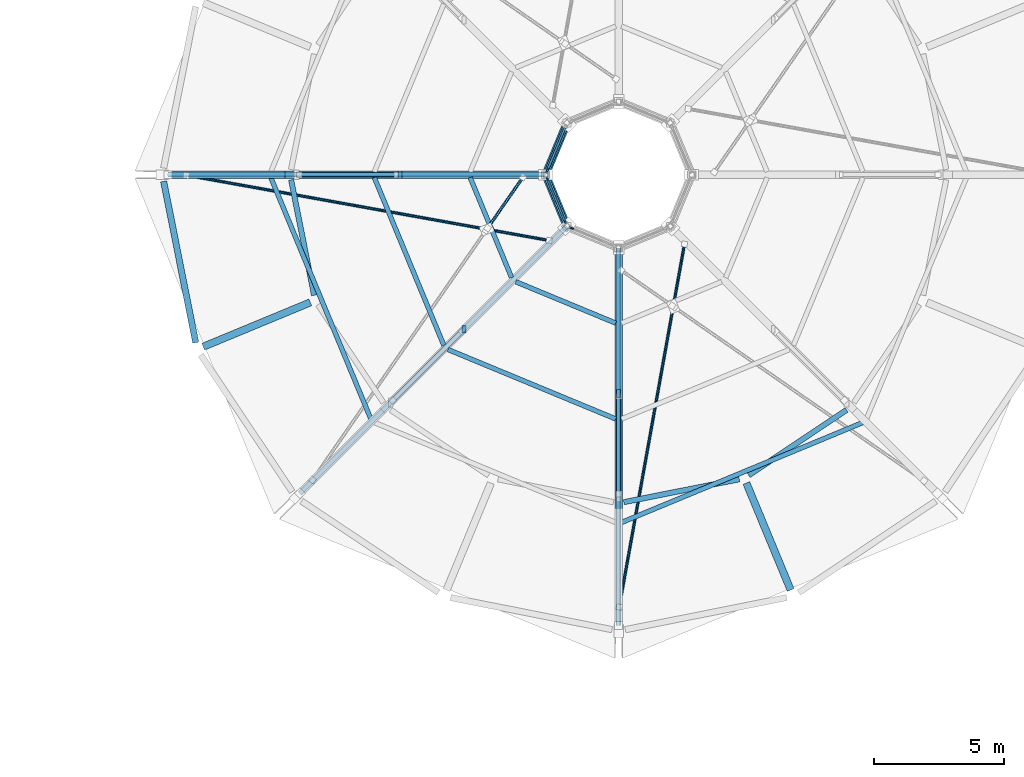
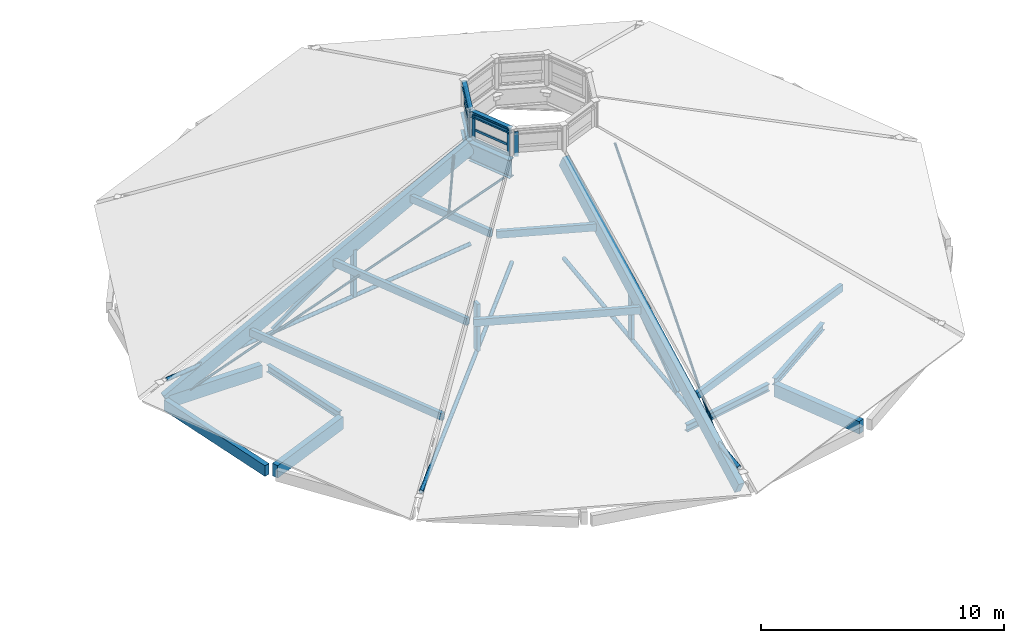
# One storey, part 35 of 66: 29 members, 11 beams, 3 elements without a shape of their own.
"""IFC4 building model written with IfcOpenShell, lengths in metres."""

from ifc_helpers import new_model, si_unit, direction, frame, origin, origin_2d, place, context, subcontext, project, spatial, rectangle, hollow_rectangle, hollow_circle, i_section, extrude, material, layer, layer_set, material_profile, profile_set, type_object, element, aggregate, save


model = new_model("IFC4")

# Units and contexts
model_context = context("Model", 3, precision=1e-05, world=origin(), true_north=direction((0.0, 1.0)))
body_context = subcontext(model_context, "Body", "Model", "MODEL_VIEW")
ifc_project = project(units=[si_unit("LENGTHUNIT", "METRE"), si_unit("AREAUNIT", "SQUARE_METRE"), si_unit("VOLUMEUNIT", "CUBIC_METRE"), si_unit("PLANEANGLEUNIT", "RADIAN"), si_unit("MASSUNIT", "GRAM", prefix="KILO")], contexts=[model_context])

# Site, building, storey
site_placement = place(None, origin())
site = spatial("IfcSite", under=ifc_project, at=site_placement, CompositionType="ELEMENT")
building_placement = place(site_placement, origin())
building = spatial("IfcBuilding", under=site, at=building_placement, Name="Caldaven Crescent School", CompositionType="ELEMENT")
storey_placement = place(building_placement, frame((0.0, 0.0, 8.159912109375)))
storey = spatial("IfcBuildingStorey", under=building, at=storey_placement, Name="L02", CompositionType="ELEMENT", Elevation=8.159912109375)

# Beams
ifc_material_1 = material(Name="Glulam MLE24h (GL28h)", Category="wood")
ifc_material_profile_1 = material_profile(ifc_material_1, rectangle(XDim=0.280029296875, YDim=0.6298828125, at=origin_2d()), Name="MLE 280x630")
ifc_profile_set_1 = profile_set([ifc_material_profile_1], Name="Glulam MLE24h (GL28h)")
beam_type_1 = type_object("IfcBeamType", Name="BM-GL63", PredefinedType="BEAM", material=ifc_profile_set_1)
for number, where, z_axis, x_axis, name in (
    (1, (139.699951171875, 98.5, -0.534912109375), (-1.0, 0.0, 0.0), (0.0, -1.0, 0.0), "BM-V1-L02-0167"),
    (2, (140.67431640625, 93.6015625, -0.534912109375), (-0.923891512961, -0.382654507719, 0.0), (0.382654507719, -0.923891512961, 0.0), "BM-V1-L02-0170"),
    (3, (157.3984375, 86.67431640625, -0.534912109375), (0.382654507719, -0.923891512961, 0.0), (0.923891512961, 0.382654507719, 0.0), "BM-V1-L02-0182"),
):
    element("IfcBeam", number, at=place(storey_placement, frame(where, z_axis=z_axis, x_axis=x_axis)), inside=storey, type_object=beam_type_1, Name=name, PredefinedType="BEAM", context=body_context, shape_type="SweptSolid", body=[
        extrude(rectangle(XDim=0.280029296875, YDim=0.6298828125, at=origin_2d()), origin(), (0.0, 0.0, 1.0), 4.43994140625),
    ])
ifc_material_2 = material(Name="Steel ASTM A572 Grade 50", Category="steel")
ifc_material_profile_2 = material_profile(ifc_material_2, i_section(OverallWidth=0.202880859375, OverallDepth=0.302978515625, WebThickness=0.007568359375, FlangeThickness=0.01318359375, FilletRadius=0.012939453125, at=origin_2d()), Name="W310x60")
ifc_profile_set_2 = profile_set([ifc_material_profile_2], Name="Steel ASTM A572 Grade 50")
beam_type_2 = type_object("IfcBeamType", Name="BM-W31", PredefinedType="BEAM", material=ifc_profile_set_2)
for number, where, z_axis, x_axis, name in (
    (4, (150.512451171875, 100.46142578125, 8.898681640625), (-0.382652561407, -0.923892319077, 0.0), (0.923892319077, -0.382652561407, 0.0), "LRNG-V1-L02-0198"),
    (5, (149.707763671875, 98.4814453125, 8.898681640625), (0.382652561407, -0.923892319077, 0.0), (0.923892319077, 0.382652561407, 0.0), "LRNG-V1-L02-0200"),
):
    element("IfcBeam", number, at=place(storey_placement, frame(where, z_axis=z_axis, x_axis=x_axis)), inside=storey, type_object=beam_type_2, Name=name, PredefinedType="BEAM", context=body_context, shape_type="SweptSolid", body=[
        extrude(i_section(OverallWidth=0.202880859375, OverallDepth=0.302978515625, WebThickness=0.007568359375, FlangeThickness=0.01318359375, FilletRadius=0.012939453125, at=origin_2d()), origin(), (0.0, 0.0, 1.0), 2.10302734375),
    ])
ifc_material_profile_3 = material_profile(ifc_material_2, i_section(OverallWidth=0.205078125, OverallDepth=0.35400390625, WebThickness=0.009521484375, FlangeThickness=0.016845703125, FilletRadius=0.014892578125, at=origin_2d()), Name="W360x79")
ifc_profile_set_3 = profile_set([ifc_material_profile_3], Name="Steel ASTM A572 Grade 50")
beam_type_3 = type_object("IfcBeamType", Name="BM-W36", PredefinedType="BEAM", material=ifc_profile_set_3)
for number, where, z_axis, x_axis, name in (
    (6, (139.93896484375, 98.303955078125, -0.39697265625), (0.195086890453, -0.980785962977, 0.0), (0.980785962977, 0.195086890453, 0.0), "BM-V1-L02-0168"),
    (7, (152.696044921875, 85.93896484375, -0.39697265625), (0.980785962977, 0.195086890453, 0.0), (-0.195086890453, 0.980785962977, 0.0), "BM-V1-L02-0180"),
):
    element("IfcBeam", number, at=place(storey_placement, frame(where, z_axis=z_axis, x_axis=x_axis)), inside=storey, type_object=beam_type_3, Name=name, PredefinedType="BEAM", context=body_context, shape_type="SweptSolid", body=[
        extrude(i_section(OverallWidth=0.205078125, OverallDepth=0.35400390625, WebThickness=0.009521484375, FlangeThickness=0.016845703125, FilletRadius=0.014892578125, at=origin_2d()), origin(), (0.0, 0.0, 1.0), 4.516357421875),
    ])
beam_1_placement = place(storey_placement, frame((157.488037109375, 86.97021484375, -0.39697265625), z_axis=(0.831475995794, 0.55556067933, 0.0), x_axis=(-0.55556067933, 0.831475995794, 0.0)))
element("IfcBeam", 8, at=beam_1_placement, inside=storey, type_object=beam_type_3, Name="BM-V1-L02-0183", PredefinedType="BEAM", context=body_context, shape_type="SweptSolid", body=[
    extrude(i_section(OverallWidth=0.205078125, OverallDepth=0.35400390625, WebThickness=0.009521484375, FlangeThickness=0.016845703125, FilletRadius=0.014892578125, at=origin_2d()), origin(), (0.0, 0.0, 1.0), 4.51611328125),
])
ifc_material_profile_4 = material_profile(ifc_material_2, i_section(OverallWidth=0.303955078125, OverallDepth=0.910888671875, WebThickness=0.015869140625, FlangeThickness=0.02392578125, FilletRadius=0.02197265625, at=origin_2d()), Name="W920x223")
ifc_profile_set_4 = profile_set([ifc_material_profile_4], Name="Steel ASTM A572 Grade 50")
beam_type_4 = type_object("IfcBeamType", Name="BM-W92", PredefinedType="BEAM", material=ifc_profile_set_4)
for number, where, z_axis, x_axis, name in (
    (9, (150.516357421875, 100.470703125, 7.004638671875), (-0.382703871955, -0.923871065891, 0.0), (0.923871065891, -0.382703871955, 0.0), "RING-V1-L02-0197"),
    (10, (149.703857421875, 98.49072265625, 7.004638671875), (0.382703871955, -0.923871065891, 0.0), (0.923871065891, 0.382703871955, 0.0), "RING-V1-L02-0199"),
):
    element("IfcBeam", number, at=place(storey_placement, frame(where, z_axis=z_axis, x_axis=x_axis)), inside=storey, type_object=beam_type_4, Name=name, PredefinedType="BEAM", context=body_context, shape_type="SweptSolid", body=[
        extrude(i_section(OverallWidth=0.303955078125, OverallDepth=0.910888671875, WebThickness=0.015869140625, FlangeThickness=0.02392578125, FilletRadius=0.02197265625, at=origin_2d()), origin(), (0.0, 0.0, 1.0), 2.123046875),
    ])

# Members
ifc_material_profile_5 = material_profile(ifc_material_2, hollow_circle(Radius=0.05712890625, WallThickness=0.008056640625, at=origin_2d()), Name="CHS 114.3x8.0")
ifc_profile_set_5 = profile_set([ifc_material_profile_5], Name="Steel ASTM A572 Grade 50")
member_type_1 = type_object("IfcMemberType", Name="BR-CH11", PredefinedType="BRACE", material=ifc_profile_set_5)
member_1_placement = place(storey_placement, frame((135.92138671875, 98.478271484375, -0.49365234375), z_axis=(0.866661130006, -0.155865769195, 0.47392441141), x_axis=(0.177006439522, 0.984209693291, 0.0)))
element("IfcMember", 11, at=member_1_placement, inside=storey, type_object=member_type_1, Name="RBR-V1-04-X1", PredefinedType="BRACE", context=body_context, shape_type="SweptSolid", body=[
    extrude(hollow_circle(Radius=0.05712890625, WallThickness=0.008056640625, at=origin_2d()), origin(), (0.0, 0.0, 1.0), 16.052001953125),
])
member_2_placement = place(storey_placement, frame((147.47705078125, 96.452880859375, 5.83837890625), z_axis=(0.50259347178, 0.723045120954, 0.473925685303), x_axis=(-0.821115135053, 0.570762590739, 0.0)))
element("IfcMember", 12, at=member_2_placement, inside=storey, type_object=member_type_1, Name="RBR-V1-04-X2B", PredefinedType="BRACE", context=body_context, shape_type="SweptSolid", body=[
    extrude(hollow_circle(Radius=0.05712890625, WallThickness=0.008056640625, at=origin_2d()), origin(), (0.0, 0.0, 1.0), 2.691162109375),
])
member_3_placement = place(storey_placement, frame((152.521728515625, 81.92138671875, -0.49365234375), z_axis=(0.155865769195, 0.866661130006, 0.47392441141), x_axis=(-0.984209693291, 0.177006439522, 0.0)))
element("IfcMember", 13, at=member_3_placement, inside=storey, type_object=member_type_1, Name="RBR-V1-06-X1", PredefinedType="BRACE", context=body_context, shape_type="SweptSolid", body=[
    extrude(hollow_circle(Radius=0.05712890625, WallThickness=0.008056640625, at=origin_2d()), origin(), (0.0, 0.0, 1.0), 16.052001953125),
])
ifc_material_profile_6 = material_profile(ifc_material_2, hollow_circle(Radius=0.096923828125, WallThickness=0.012451171875, at=origin_2d()), Name="CHS 193.7x12.5")
ifc_profile_set_6 = profile_set([ifc_material_profile_6], Name="Steel ASTM A572 Grade 50")
member_type_2 = type_object("IfcMemberType", Name="BR-CH19", PredefinedType="BRACE", material=ifc_profile_set_6)
for number, where, z_axis, x_axis, name in (
    (14, (135.21826171875, 98.5, 0.52685546875), (0.992587172523, 0.0, 0.121534789019), (0.0, 1.0, 0.0), "TT-V1-04"),
    (15, (140.280029296875, 86.280029296875, 0.52685546875), (0.70186507673, 0.70186507673, 0.121535295839), (-0.707106781187, 0.707106781187, 0.0), "TT-V1-05"),
    (16, (152.5, 81.21826171875, 0.52685546875), (0.0, 0.992587172523, 0.121534789019), (-1.0, 0.0, 0.0), "TT-V1-06"),
):
    element("IfcMember", number, at=place(storey_placement, frame(where, z_axis=z_axis, x_axis=x_axis)), inside=storey, type_object=member_type_2, Name=name, PredefinedType="BRACE", context=body_context, shape_type="SweptSolid", body=[
        extrude(hollow_circle(Radius=0.096923828125, WallThickness=0.012451171875, at=origin_2d()), origin(), (0.0, 0.0, 1.0), 14.56982421875),
    ])
ifc_material_profile_7 = material_profile(ifc_material_1, rectangle(XDim=0.280029296875, YDim=0.68994140625, at=origin_2d()), Name="MLE 280x690")
ifc_profile_set_7 = profile_set([ifc_material_profile_7], Name="Glulam MLE24h (GL28h)")
member_type_3 = type_object("IfcMemberType", Name="CH-GL69", PredefinedType="CHORD", material=ifc_profile_set_7)
for number, where, z_axis, x_axis, name in (
    (17, (135.1767578125, 98.5, -0.466064453125), (0.883351030719, 0.0, 0.468712018757), (0.0, 1.0, 0.0), "TC-V1-04"),
    (18, (152.5, 81.1767578125, -0.466064453125), (0.0, 0.883351030719, 0.468712018757), (-1.0, 0.0, 0.0), "TC-V1-06"),
):
    element("IfcMember", number, at=place(storey_placement, frame(where, z_axis=z_axis, x_axis=x_axis)), inside=storey, type_object=member_type_3, Name=name, PredefinedType="CHORD", context=body_context, shape_type="SweptSolid", body=[
        extrude(rectangle(XDim=0.280029296875, YDim=0.68994140625, at=origin_2d()), origin(), (0.0, 0.0, 1.0), 16.421142578125),
    ])

# Curtain wall, members
ifc_material_3 = material(Name="Anodised aluminium AA 6063-T6 and low-E double glazing", Category="aluminium")
ifc_layer_1 = layer(ifc_material_3, 0.2099609375)
ifc_layer_set_1 = layer_set([ifc_layer_1], Name="Anodised aluminium AA 6063-T6 and low-E double glazing")
curtain_wall_type_1 = type_object("IfcCurtainWallType", Name="CW-SYS3", PredefinedType="NOTDEFINED", material=ifc_layer_set_1)
curtain_wall_1_placement = place(storey_placement, origin())
curtain_wall_1 = element("IfcCurtainWall", 19, at=curtain_wall_1_placement, inside=storey, type_object=curtain_wall_type_1, Name="CW-L02-037", PredefinedType="NOTDEFINED")
ifc_material_4 = material(Name="Anodised aluminium AA 6063-T6", Category="aluminium")
ifc_material_profile_8 = material_profile(ifc_material_4, rectangle(XDim=0.06005859375, YDim=0.14990234375, at=origin_2d()), Name="CWM 60x150")
ifc_profile_set_8 = profile_set([ifc_material_profile_8], Name="Anodised aluminium AA 6063-T6")
member_type_4 = type_object("IfcMemberType", Name="CWM-T1", PredefinedType="MULLION", material=ifc_profile_set_8)
member_4_placement = place(storey_placement, frame((149.76513671875, 98.343017578125, 7.60009765625), z_axis=(0.0, 0.0, 1.0), x_axis=(0.923880038792, 0.382682210093, 0.0)))
member_4 = element("IfcMember", 20, at=member_4_placement, type_object=member_type_4, Name="CW3 mullion 1", PredefinedType="MULLION", context=body_context, shape_type="SweptSolid", body=[
    extrude(rectangle(XDim=0.06005859375, YDim=0.14990234375, at=origin_2d()), origin(), (0.0, 0.0, 1.0), 1.25),
])
member_5_placement = place(storey_placement, frame((150.455078125, 96.67724609375, 7.60009765625), z_axis=(0.0, 0.0, 1.0), x_axis=(0.923880038792, 0.382682210093, 0.0)))
member_5 = element("IfcMember", 21, at=member_5_placement, type_object=member_type_4, Name="CW3 mullion 2", PredefinedType="MULLION", context=body_context, shape_type="SweptSolid", body=[
    extrude(rectangle(XDim=0.06005859375, YDim=0.14990234375, at=origin_2d()), origin(), (0.0, 0.0, 1.0), 1.25),
])

# Curtain wall, member
ifc_layer_2 = layer(ifc_material_3, 0.22998046875)
ifc_layer_set_2 = layer_set([ifc_layer_2], Name="Anodised aluminium AA 6063-T6 and low-E double glazing")
curtain_wall_type_2 = type_object("IfcCurtainWallType", Name="CW-SYS4", PredefinedType="NOTDEFINED", material=ifc_layer_set_2)
curtain_wall_2_placement = place(storey_placement, origin())
curtain_wall_2 = element("IfcCurtainWall", 22, at=curtain_wall_2_placement, inside=storey, type_object=curtain_wall_type_2, Name="CW-L02-038", PredefinedType="NOTDEFINED")
ifc_material_profile_9 = material_profile(ifc_material_4, rectangle(XDim=0.06494140625, YDim=0.179931640625, at=origin_2d()), Name="CWM 65x180")
ifc_profile_set_9 = profile_set([ifc_material_profile_9], Name="Anodised aluminium AA 6063-T6")
member_type_5 = type_object("IfcMemberType", Name="CWM-T2", PredefinedType="MULLION", material=ifc_profile_set_9)
member_6_placement = place(storey_placement, frame((150.679443359375, 96.4541015625, 7.60009765625), z_axis=(0.0, 0.0, 1.0), x_axis=(0.382682210093, 0.923880038792, 0.0)))
member_6 = element("IfcMember", 23, at=member_6_placement, type_object=member_type_5, Name="CW4 mullion 1", PredefinedType="MULLION", context=body_context, shape_type="SweptSolid", body=[
    extrude(rectangle(XDim=0.06494140625, YDim=0.179931640625, at=origin_2d()), origin(), (0.0, 0.0, 1.0), 1.25),
])
aggregate(curtain_wall_2, [member_6])

ifc_layer_3 = layer(ifc_material_3, 0.18994140625)
ifc_layer_set_3 = layer_set([ifc_layer_3], Name="Anodised aluminium AA 6063-T6 and low-E double glazing")
curtain_wall_type_3 = type_object("IfcCurtainWallType", Name="CW-SYS2", PredefinedType="NOTDEFINED", material=ifc_layer_set_3)
curtain_wall_3_placement = place(storey_placement, origin())
curtain_wall_3 = element("IfcCurtainWall", 24, at=curtain_wall_3_placement, inside=storey, type_object=curtain_wall_type_3, Name="CW-L02-036", PredefinedType="NOTDEFINED")
ifc_material_profile_10 = material_profile(ifc_material_4, rectangle(XDim=0.070068359375, YDim=0.2099609375, at=origin_2d()), Name="CWM 70x210")
ifc_profile_set_10 = profile_set([ifc_material_profile_10], Name="Anodised aluminium AA 6063-T6")
member_type_6 = type_object("IfcMemberType", Name="CWM-T3", PredefinedType="MULLION", material=ifc_profile_set_10)
member_7_placement = place(storey_placement, frame((149.76708984375, 98.66162109375, 7.60009765625), z_axis=(0.0, 0.0, 1.0), x_axis=(0.923880038792, -0.382682210093, 0.0)))
member_7 = element("IfcMember", 25, at=member_7_placement, type_object=member_type_6, Name="CW2 mullion 2", PredefinedType="MULLION", context=body_context, shape_type="SweptSolid", body=[
    extrude(rectangle(XDim=0.070068359375, YDim=0.2099609375, at=origin_2d()), origin(), (0.0, 0.0, 1.0), 1.25),
])

# Member
ifc_material_profile_11 = material_profile(ifc_material_4, rectangle(XDim=0.06005859375, YDim=0.1201171875, at=origin_2d()), Name="CWT 60x120")
ifc_profile_set_11 = profile_set([ifc_material_profile_11], Name="Anodised aluminium AA 6063-T6")
member_type_7 = type_object("IfcMemberType", Name="CWT-T1", PredefinedType="USERDEFINED", material=ifc_profile_set_11)
member_8_placement = place(storey_placement, frame((149.776611328125, 98.315185546875, 7.630126953125), z_axis=(0.382665181283, -0.923887092146, 0.0), x_axis=(0.923887092146, 0.382665181283, 0.0)))
member_8 = element("IfcMember", 26, at=member_8_placement, type_object=member_type_7, Name="CW3 transom 1.1", ObjectType="TRANSOM", PredefinedType="USERDEFINED", context=body_context, shape_type="SweptSolid", body=[
    extrude(rectangle(XDim=0.06005859375, YDim=0.1201171875, at=origin_2d()), origin(), (0.0, 0.0, 1.0), 1.742919921875),
])

member_9_placement = place(storey_placement, frame((149.776611328125, 98.315185546875, 8.125), z_axis=(0.382665181283, -0.923887092146, 0.0), x_axis=(0.923887092146, 0.382665181283, 0.0)))
member_9 = element("IfcMember", 27, at=member_9_placement, type_object=member_type_7, Name="CW3 transom 1.2", ObjectType="TRANSOM", PredefinedType="USERDEFINED", context=body_context, shape_type="SweptSolid", body=[
    extrude(rectangle(XDim=0.06005859375, YDim=0.1201171875, at=origin_2d()), origin(), (0.0, 0.0, 1.0), 1.742919921875),
])

member_10_placement = place(storey_placement, frame((149.776611328125, 98.315185546875, 8.820068359375), z_axis=(0.382665181283, -0.923887092146, 0.0), x_axis=(0.923887092146, 0.382665181283, 0.0)))
member_10 = element("IfcMember", 28, at=member_10_placement, type_object=member_type_7, Name="CW3 transom 1.3", ObjectType="TRANSOM", PredefinedType="USERDEFINED", context=body_context, shape_type="SweptSolid", body=[
    extrude(rectangle(XDim=0.06005859375, YDim=0.1201171875, at=origin_2d()), origin(), (0.0, 0.0, 1.0), 1.742919921875),
])

aggregate(curtain_wall_1, [member_4, member_5, member_8, member_9, member_10])

ifc_material_profile_12 = material_profile(ifc_material_4, rectangle(XDim=0.070068359375, YDim=0.159912109375, at=origin_2d()), Name="CWT 70x160")
ifc_profile_set_12 = profile_set([ifc_material_profile_12], Name="Anodised aluminium AA 6063-T6")
member_type_8 = type_object("IfcMemberType", Name="CWT-T3", PredefinedType="USERDEFINED", material=ifc_profile_set_12)
member_11_placement = place(storey_placement, frame((150.439697265625, 100.285888671875, 7.635009765625), z_axis=(-0.382723050626, -0.923863121095, 0.0), x_axis=(0.923863121095, -0.382723050626, 0.0)))
member_11 = element("IfcMember", 29, at=member_11_placement, type_object=member_type_8, Name="CW2 transom 1.1", ObjectType="TRANSOM", PredefinedType="USERDEFINED", context=body_context, shape_type="SweptSolid", body=[
    extrude(rectangle(XDim=0.070068359375, YDim=0.159912109375, at=origin_2d()), origin(), (0.0, 0.0, 1.0), 1.722900390625),
])

member_12_placement = place(storey_placement, frame((150.439697265625, 100.285888671875, 8.125), z_axis=(-0.382723050626, -0.923863121095, 0.0), x_axis=(0.923863121095, -0.382723050626, 0.0)))
member_12 = element("IfcMember", 30, at=member_12_placement, type_object=member_type_8, Name="CW2 transom 1.2", ObjectType="TRANSOM", PredefinedType="USERDEFINED", context=body_context, shape_type="SweptSolid", body=[
    extrude(rectangle(XDim=0.070068359375, YDim=0.159912109375, at=origin_2d()), origin(), (0.0, 0.0, 1.0), 1.722900390625),
])

member_13_placement = place(storey_placement, frame((150.439697265625, 100.285888671875, 8.815185546875), z_axis=(-0.382723050626, -0.923863121095, 0.0), x_axis=(0.923863121095, -0.382723050626, 0.0)))
member_13 = element("IfcMember", 31, at=member_13_placement, type_object=member_type_8, Name="CW2 transom 1.3", ObjectType="TRANSOM", PredefinedType="USERDEFINED", context=body_context, shape_type="SweptSolid", body=[
    extrude(rectangle(XDim=0.070068359375, YDim=0.159912109375, at=origin_2d()), origin(), (0.0, 0.0, 1.0), 1.722900390625),
])

aggregate(curtain_wall_3, [member_7, member_11, member_12, member_13])

# Members
ifc_material_profile_13 = material_profile(ifc_material_1, rectangle(XDim=0.179931640625, YDim=0.360107421875, at=origin_2d()), Name="MLE 180x360")
ifc_profile_set_13 = profile_set([ifc_material_profile_13], Name="Glulam MLE24h (GL28h)")
member_type_9 = type_object("IfcMemberType", Name="PR-GL36", PredefinedType="PURLIN", material=ifc_profile_set_13)
member_14_placement = place(storey_placement, frame((139.161865234375, 98.38916015625, 1.6240234375), z_axis=(0.382694501548, -0.923874947428, 0.0), x_axis=(0.923874947428, 0.382694501548, 0.0)))
element("IfcMember", 32, at=member_14_placement, inside=storey, type_object=member_type_9, Name="PUR-V1-04-0", PredefinedType="PURLIN", context=body_context, shape_type="SweptSolid", body=[
    extrude(rectangle(XDim=0.179931640625, YDim=0.360107421875, at=origin_2d()), origin(), (0.0, 0.0, 1.0), 10.003662109375),
])
member_15_placement = place(storey_placement, frame((143.130859375, 98.38916015625, 3.72998046875), z_axis=(0.382680927973, -0.92388056986, 0.0), x_axis=(0.92388056986, 0.382680927973, 0.0)))
element("IfcMember", 33, at=member_15_placement, inside=storey, type_object=member_type_9, Name="PUR-V1-04-1", PredefinedType="PURLIN", context=body_context, shape_type="SweptSolid", body=[
    extrude(rectangle(XDim=0.179931640625, YDim=0.360107421875, at=origin_2d()), origin(), (0.0, 0.0, 1.0), 6.966064453125),
])
member_16_placement = place(storey_placement, frame((146.805908203125, 98.38916015625, 5.68017578125), z_axis=(0.382673670509, -0.923883575944, 0.0), x_axis=(0.923883575944, 0.382673670509, 0.0)))
element("IfcMember", 34, at=member_16_placement, inside=storey, type_object=member_type_9, Name="PUR-V1-04-2", PredefinedType="PURLIN", context=body_context, shape_type="SweptSolid", body=[
    extrude(rectangle(XDim=0.179931640625, YDim=0.360107421875, at=origin_2d()), origin(), (0.0, 0.0, 1.0), 4.1533203125),
])
member_17_placement = place(storey_placement, frame((145.953369140625, 91.796630859375, 3.72998046875), z_axis=(0.92388056986, -0.382680927973, 0.0), x_axis=(0.382680927973, 0.92388056986, 0.0)))
element("IfcMember", 35, at=member_17_placement, inside=storey, type_object=member_type_9, Name="PUR-V1-05-1", PredefinedType="PURLIN", context=body_context, shape_type="SweptSolid", body=[
    extrude(rectangle(XDim=0.179931640625, YDim=0.360107421875, at=origin_2d()), origin(), (0.0, 0.0, 1.0), 6.966064453125),
])
member_18_placement = place(storey_placement, frame((148.552001953125, 94.395263671875, 5.68017578125), z_axis=(0.923883575944, -0.382673670509, 0.0), x_axis=(0.382673670509, 0.923883575944, 0.0)))
element("IfcMember", 36, at=member_18_placement, inside=storey, type_object=member_type_9, Name="PUR-V1-05-2", PredefinedType="PURLIN", context=body_context, shape_type="SweptSolid", body=[
    extrude(rectangle(XDim=0.179931640625, YDim=0.360107421875, at=origin_2d()), origin(), (0.0, 0.0, 1.0), 4.1533203125),
])
member_19_placement = place(storey_placement, frame((152.61083984375, 85.161865234375, 1.6240234375), z_axis=(0.923874947428, 0.382694501548, 0.0), x_axis=(-0.382694501548, 0.923874947428, 0.0)))
element("IfcMember", 37, at=member_19_placement, inside=storey, type_object=member_type_9, Name="PUR-V1-06-0", PredefinedType="PURLIN", context=body_context, shape_type="SweptSolid", body=[
    extrude(rectangle(XDim=0.179931640625, YDim=0.360107421875, at=origin_2d()), origin(), (0.0, 0.0, 1.0), 10.003662109375),
])

# Beam
ifc_material_profile_14 = material_profile(ifc_material_1, rectangle(XDim=0.239990234375, YDim=0.5400390625, at=origin_2d()), Name="MLE 240x540")
ifc_profile_set_14 = profile_set([ifc_material_profile_14], Name="Glulam MLE24h (GL28h)")
beam_type_5 = type_object("IfcBeamType", Name="SP-GL54", PredefinedType="SPANDREL", material=ifc_profile_set_14)
beam_2_placement = place(storey_placement, frame((135.05078125, 98.2451171875, -0.489990234375), z_axis=(0.195096382354, -0.980784074908, 0.0), x_axis=(0.980784074908, 0.195096382354, 0.0)))
element("IfcBeam", 38, at=beam_2_placement, inside=storey, type_object=beam_type_5, Name="BM-V1-L02-0169", PredefinedType="SPANDREL", context=body_context, shape_type="SweptSolid", body=[
    extrude(rectangle(XDim=0.239990234375, YDim=0.5400390625, at=origin_2d()), origin(), (0.0, 0.0, 1.0), 6.308349609375),
])

# Members
ifc_material_profile_15 = material_profile(ifc_material_1, rectangle(XDim=0.14990234375, YDim=0.300048828125, at=origin_2d()), Name="MLE 150x300")
ifc_profile_set_15 = profile_set([ifc_material_profile_15], Name="Glulam MLE24h (GL28h)")
member_type_10 = type_object("IfcMemberType", Name="ST-GL30", PredefinedType="STRUT", material=ifc_profile_set_15)
for number, where, z_axis, x_axis, name in (
    (39, (144.114013671875, 98.5, 1.656005859375), (0.0, 0.0, 1.0), (1.0, 0.0, 0.0), "WS-V1-04-1"),
    (40, (146.5703125, 92.5703125, 1.656005859375), (0.0, 0.0, 1.0), (1.0, 0.0, 0.0), "WS-V1-05-1"),
    (41, (152.5, 90.114013671875, 1.656005859375), (0.0, 0.0, 1.0), (1.0, 0.0, 0.0), "WS-V1-06-1"),
):
    element("IfcMember", number, at=place(storey_placement, frame(where, z_axis=z_axis, x_axis=x_axis)), inside=storey, type_object=member_type_10, Name=name, PredefinedType="STRUT", context=body_context, shape_type="SweptSolid", body=[
        extrude(rectangle(XDim=0.14990234375, YDim=0.300048828125, at=origin_2d()), origin(), (0.0, 0.0, 1.0), 2.380126953125),
    ])
ifc_material_profile_16 = material_profile(ifc_material_2, hollow_rectangle(XDim=0.179931640625, YDim=0.179931640625, WallThickness=0.010009765625, InnerFilletRadius=0.010009765625, OuterFilletRadius=0.02001953125, at=origin_2d()), Name="HSS 180x180x10")
ifc_profile_set_16 = profile_set([ifc_material_profile_16], Name="Steel ASTM A572 Grade 50")
member_type_11 = type_object("IfcMemberType", Name="ST-HS18", PredefinedType="STRUT", material=ifc_profile_set_16)
for number, where, z_axis, x_axis, name in (
    (42, (140.259033203125, 98.5, 1.271240234375), (0.81461259725, 0.0, 0.580005445148), (0.0, 1.0, 0.0), "WB-V1-04"),
    (43, (152.5, 86.259033203125, 1.271240234375), (0.0, 0.81461259725, 0.580005445148), (-1.0, 0.0, 0.0), "WB-V1-06"),
):
    element("IfcMember", number, at=place(storey_placement, frame(where, z_axis=z_axis, x_axis=x_axis)), inside=storey, type_object=member_type_11, Name=name, PredefinedType="STRUT", context=body_context, shape_type="SweptSolid", body=[
        extrude(hollow_rectangle(XDim=0.179931640625, YDim=0.179931640625, WallThickness=0.010009765625, InnerFilletRadius=0.010009765625, OuterFilletRadius=0.02001953125, at=origin_2d()), origin(), (0.0, 0.0, 1.0), 4.59228515625),
    ])

save(model, "model.ifc")
